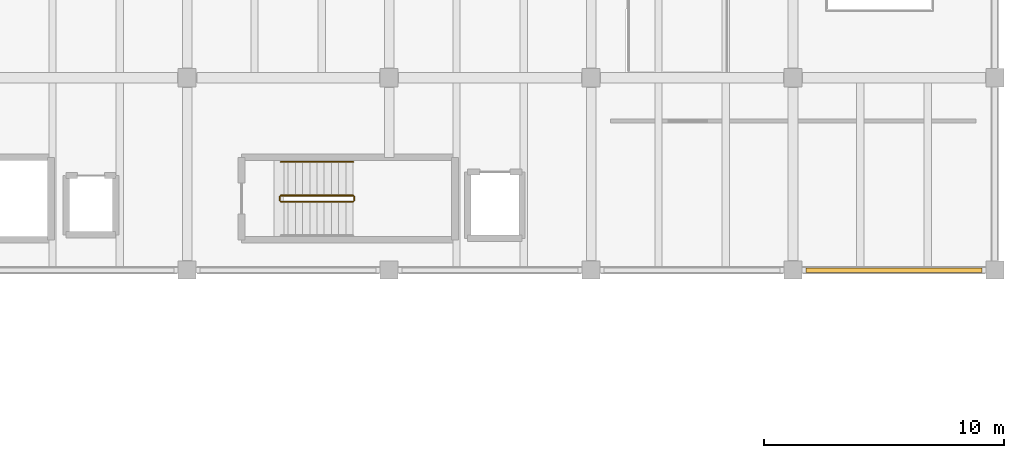
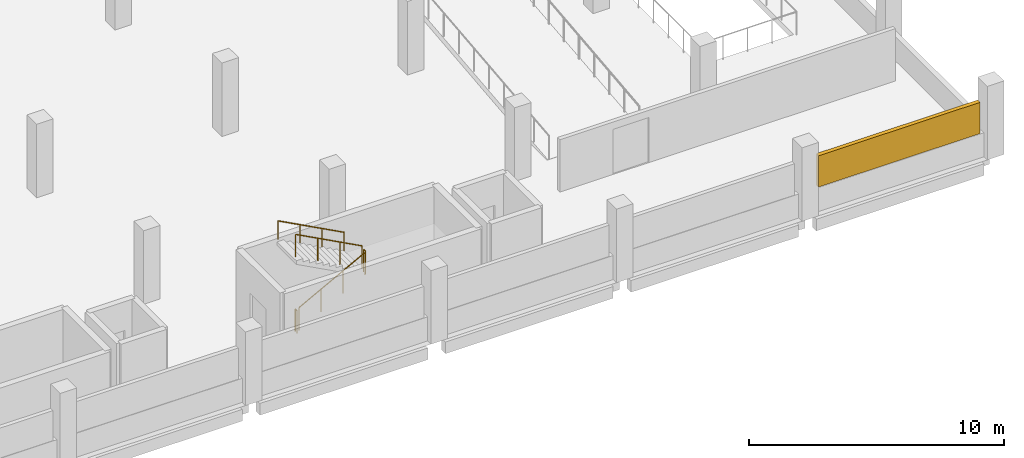
# One storey, part 92 of 95: 5 railings, 1 shading device.
"""IFC4 building model written with IfcOpenShell, lengths in metres."""

from ifc_helpers import new_model, si_unit, direction, frame, origin, origin_2d, place, context, subcontext, project, spatial, rectangle, circle, extrude, material, type_object, element, save


model = new_model("IFC4")

# Units and contexts
model_context = context("Model", 3, precision=1e-05, world=origin(), true_north=direction((0.0, 1.0)))
body_context = subcontext(model_context, "Body", "Model", "MODEL_VIEW")
ifc_project = project(units=[si_unit("LENGTHUNIT", "METRE"), si_unit("AREAUNIT", "SQUARE_METRE"), si_unit("VOLUMEUNIT", "CUBIC_METRE"), si_unit("PLANEANGLEUNIT", "RADIAN"), si_unit("MASSUNIT", "GRAM", prefix="KILO"), si_unit("THERMODYNAMICTEMPERATUREUNIT", "KELVIN"), si_unit("POWERUNIT", "WATT")], contexts=[model_context])

# Site, building, storey
site_placement = place(None, origin())
site = spatial("IfcSite", under=ifc_project, at=site_placement, CompositionType="ELEMENT")
building_placement = place(site_placement, origin())
building = spatial("IfcBuilding", under=site, at=building_placement, Name="Mavoryth Pier Ferry Terminal", CompositionType="ELEMENT")
storey_placement = place(building_placement, frame((0.0, 0.0, 9.60009765625)))
storey = spatial("IfcBuildingStorey", under=building, at=storey_placement, Name="L02", CompositionType="ELEMENT", Elevation=9.60009765625)

# Railings
ifc_material_1 = material(Name="Painted Galvanised Steel Balustrade", Category="steel")
railing_type_1 = type_object("IfcRailingType", Name="Guard-Stair-Steel1100", PredefinedType="GUARDRAIL", material=ifc_material_1)
railing_1_placement = place(storey_placement, frame((138.300048828125, 16.85009765625, 0.159912109375)))
element("IfcRailing", 1, at=railing_1_placement, inside=storey, type_object=railing_type_1, Name="L02 ST09 stair guard 1", PredefinedType="GUARDRAIL", context=body_context, shape_type="SweptSolid", body=[
    extrude(circle(Radius=0.02392578125, at=origin_2d()), frame((0.0, 0.0, 1.076171875), z_axis=(0.882341014787, 0.0, 0.470610596591), x_axis=(0.0, 1.0, 0.0)), (0.0, 0.0, 1.0), 3.400146484375),
    extrude(circle(Radius=0.02099609375, at=origin_2d()), origin(), (0.0, 0.0, 1.0), 1.052001953125),
    extrude(circle(Radius=0.02099609375, at=origin_2d()), frame((1.0, 0.0, 0.533447265625)), (0.0, 0.0, 1.0), 1.052001953125),
    extrude(circle(Radius=0.02099609375, at=origin_2d()), frame((2.0, 0.0, 1.066650390625)), (0.0, 0.0, 1.0), 1.052001953125),
    extrude(circle(Radius=0.02099609375, at=origin_2d()), frame((3.0, 0.0, 1.60009765625)), (0.0, 0.0, 1.0), 1.052001953125),
])
railing_2_placement = place(storey_placement, frame((141.35009765625, 16.89990234375, 1.760009765625)))
element("IfcRailing", 2, at=railing_2_placement, inside=storey, type_object=railing_type_1, Name="L02 ST09 stair guard 2", PredefinedType="GUARDRAIL", context=body_context, shape_type="SweptSolid", body=[
    extrude(circle(Radius=0.02392578125, at=origin_2d()), frame((0.0, 0.0, 1.076171875), z_axis=(0.0, 1.0, 0.0), x_axis=(-1.0, 0.0, 0.0)), (0.0, 0.0, 1.0), 0.150146484375),
    extrude(circle(Radius=0.02099609375, at=origin_2d()), origin(), (0.0, 0.0, 1.0), 1.052001953125),
    extrude(circle(Radius=0.02099609375, at=origin_2d()), frame((0.0, 0.150146484375, 0.0)), (0.0, 0.0, 1.0), 1.052001953125),
])
railing_3_placement = place(storey_placement, frame((141.300048828125, 17.10009765625, 1.919921875)))
element("IfcRailing", 3, at=railing_3_placement, inside=storey, type_object=railing_type_1, Name="L02 ST09 stair guard 3", PredefinedType="GUARDRAIL", context=body_context, shape_type="SweptSolid", body=[
    extrude(circle(Radius=0.02392578125, at=origin_2d()), frame((0.0, 0.0, 1.076171875), z_axis=(-0.882341014787, 0.0, 0.470610596591), x_axis=(0.0, -1.0, 0.0)), (0.0, 0.0, 1.0), 3.400146484375),
    extrude(circle(Radius=0.02099609375, at=origin_2d()), origin(), (0.0, 0.0, 1.0), 1.052001953125),
    extrude(circle(Radius=0.02099609375, at=origin_2d()), frame((-1.0, 0.0, 0.533447265625)), (0.0, 0.0, 1.0), 1.052001953125),
    extrude(circle(Radius=0.02099609375, at=origin_2d()), frame((-2.0, 0.0, 1.066650390625)), (0.0, 0.0, 1.0), 1.052001953125),
    extrude(circle(Radius=0.02099609375, at=origin_2d()), frame((-3.0, 0.0, 1.60009765625)), (0.0, 0.0, 1.0), 1.052001953125),
])
railing_4_placement = place(storey_placement, frame((138.25, 16.89990234375, 0.0)))
element("IfcRailing", 4, at=railing_4_placement, inside=storey, type_object=railing_type_1, Name="L02 ST09 stair guard 4", PredefinedType="GUARDRAIL", context=body_context, shape_type="SweptSolid", body=[
    extrude(circle(Radius=0.02392578125, at=origin_2d()), frame((0.0, 0.0, 1.076171875), z_axis=(0.0, 1.0, 0.0), x_axis=(-1.0, 0.0, 0.0)), (0.0, 0.0, 1.0), 0.150146484375),
    extrude(circle(Radius=0.02099609375, at=origin_2d()), origin(), (0.0, 0.0, 1.0), 1.052001953125),
    extrude(circle(Radius=0.02099609375, at=origin_2d()), frame((0.0, 0.150146484375, 0.0)), (0.0, 0.0, 1.0), 1.052001953125),
])
ifc_material_2 = material(Name="Brushed Stainless Steel Tubular Handrail", Category="steel")
railing_type_2 = type_object("IfcRailingType", Name="Handrail-Stair-SS900", PredefinedType="HANDRAIL", material=ifc_material_2)
railing_5_placement = place(storey_placement, frame((141.300048828125, 18.5, 1.919921875)))
element("IfcRailing", 5, at=railing_5_placement, inside=storey, type_object=railing_type_2, Name="L02 ST09 stair handrail 2", PredefinedType="HANDRAIL", context=body_context, shape_type="SweptSolid", body=[
    extrude(circle(Radius=0.02392578125, at=origin_2d()), frame((0.0, 0.0, 0.8759765625), z_axis=(-0.882341014787, 0.0, 0.470610596591), x_axis=(0.0, -1.0, 0.0)), (0.0, 0.0, 1.0), 3.400146484375),
    extrude(circle(Radius=0.02099609375, at=origin_2d()), origin(), (0.0, 0.0, 1.0), 0.851806640625),
    extrude(circle(Radius=0.02099609375, at=origin_2d()), frame((-1.0, 0.0, 0.533447265625)), (0.0, 0.0, 1.0), 0.851806640625),
    extrude(circle(Radius=0.02099609375, at=origin_2d()), frame((-2.0, 0.0, 1.066650390625)), (0.0, 0.0, 1.0), 0.851806640625),
    extrude(circle(Radius=0.02099609375, at=origin_2d()), frame((-3.0, 0.0, 1.60009765625)), (0.0, 0.0, 1.0), 0.851806640625),
])

# Shading device
ifc_material_3 = material(Name="Perforated Glazed Ceramic Solar Screen")
shading_device_type = type_object("IfcShadingDeviceType", Name="Screen-Ceramic-Bay6400x1700", PredefinedType="JALOUSIE", material=ifc_material_3)
shading_device_placement = place(storey_placement, frame((163.800048828125, 14.0, 1.14990234375), z_axis=(0.0, 0.0, 1.0), x_axis=(1.0, 0.0, 0.0)))
element("IfcShadingDevice", 6, at=shading_device_placement, inside=storey, type_object=shading_device_type, Name="Perforated Glazed Ceramic Solar Screen 25", PredefinedType="JALOUSIE", context=body_context, shape_type="SweptSolid", body=[
    extrude(rectangle(XDim=7.320068359375, YDim=0.179931640625, at=origin_2d()), origin(), (0.0, 0.0, 1.0), 1.4951171875),
])

save(model, "model.ifc")
